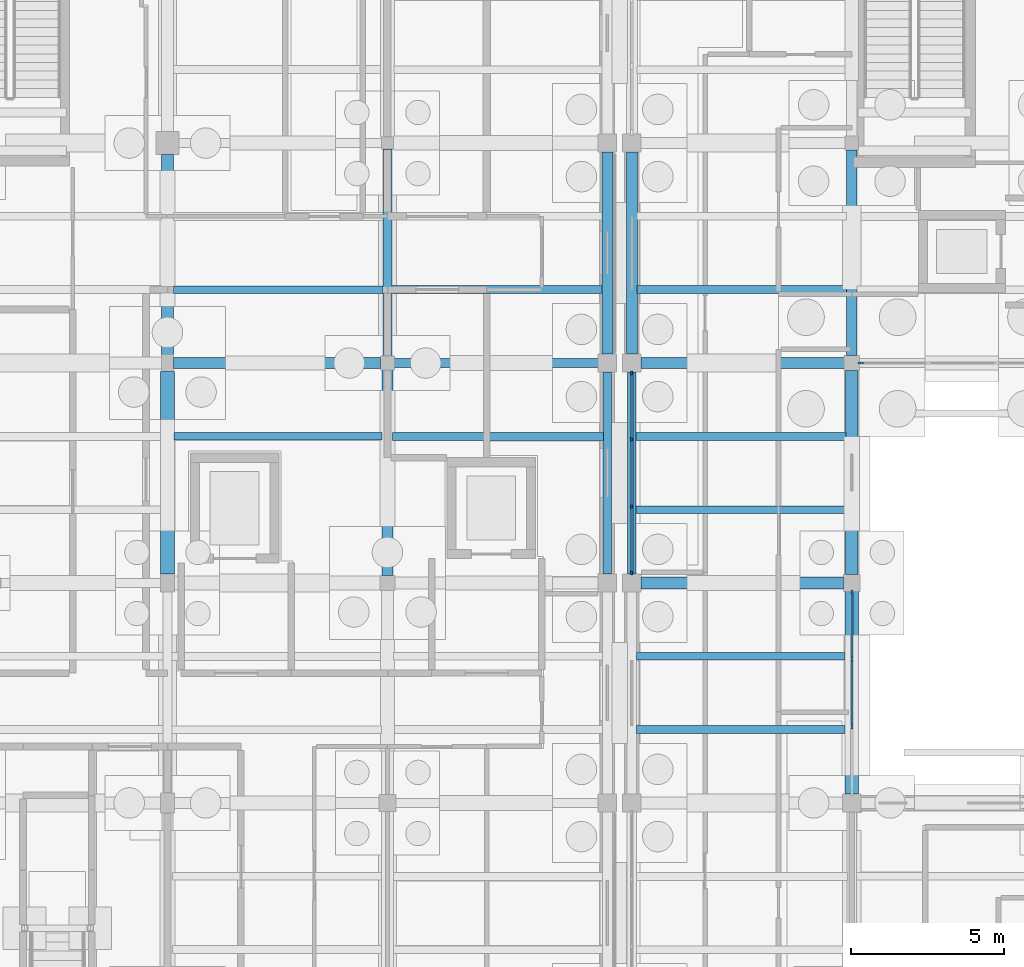
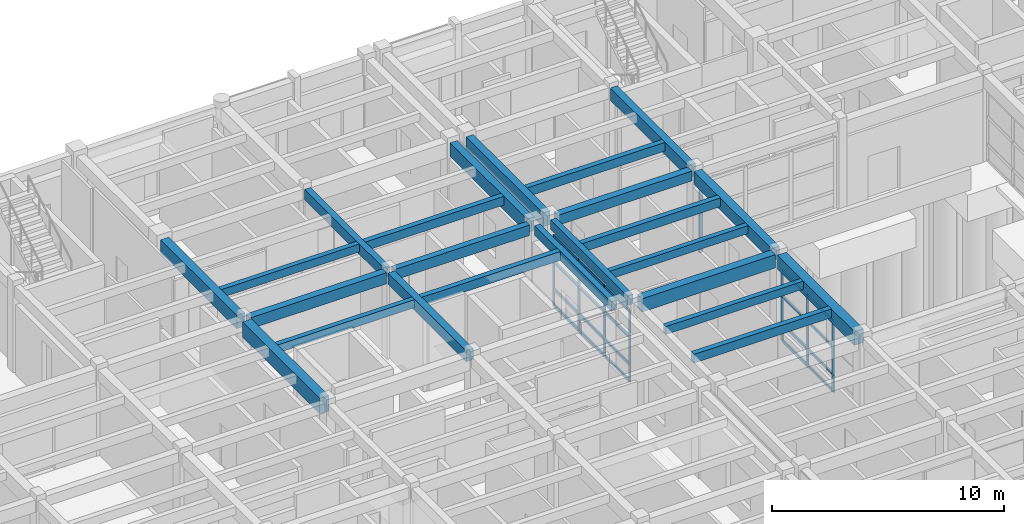
# One storey, part 60 of 143: 28 members, 24 beams, 3 elements without a shape of their own.
"""IFC4 building model written with IfcOpenShell, lengths in metres."""

from ifc_helpers import new_model, si_unit, direction, frame, origin, origin_2d, place, context, subcontext, project, spatial, rectangle, extrude, material, material_profile, profile_set, type_object, element, aggregate, save


model = new_model("IFC4")

# Units and contexts
model_context = context("Model", 3, precision=1e-05, world=origin(), true_north=direction((0.0, 1.0)))
body_context = subcontext(model_context, "Body", "Model", "MODEL_VIEW")
ifc_project = project(units=[si_unit("LENGTHUNIT", "METRE"), si_unit("AREAUNIT", "SQUARE_METRE"), si_unit("VOLUMEUNIT", "CUBIC_METRE"), si_unit("PLANEANGLEUNIT", "RADIAN"), si_unit("MASSUNIT", "GRAM", prefix="KILO")], contexts=[model_context])

# Site, building, storey
site_placement = place(None, origin())
site = spatial("IfcSite", under=ifc_project, at=site_placement, CompositionType="ELEMENT")
building_placement = place(site_placement, origin())
building = spatial("IfcBuilding", under=site, at=building_placement, Name="Steenspoor Specialist Clinic", CompositionType="ELEMENT")
storey_placement = place(building_placement, origin())
storey = spatial("IfcBuildingStorey", under=building, at=storey_placement, Name="L00", CompositionType="ELEMENT", Elevation=0.0)

# Beams
ifc_material_1 = material(Name="Concrete C35/45", Category="concrete")
ifc_material_profile_1 = material_profile(ifc_material_1, rectangle(XDim=0.300048828125, YDim=0.550048828125, at=origin_2d()), Name="RC-BM-300X550")
ifc_profile_set_1 = profile_set([ifc_material_profile_1], Name="Concrete C35/45")
beam_type_1 = type_object("IfcBeamType", Name="BM-RC-300X550", PredefinedType="BEAM", material=ifc_profile_set_1)
beam_1_placement = place(storey_placement, frame((44.6201171875, 93.949951171875, 4.2451171875), z_axis=(1.0, 0.0, 0.0), x_axis=(0.0, 1.0, 0.0)))
element("IfcBeam", 1, at=beam_1_placement, inside=storey, type_object=beam_type_1, Name="BM-V5-L00-X1074", PredefinedType="BEAM", context=body_context, shape_type="SweptSolid", body=[
    extrude(rectangle(XDim=0.300048828125, YDim=0.550048828125, at=origin_2d()), origin(), (0.0, 0.0, 1.0), 6.684814453125),
])
beam_2_placement = place(storey_placement, frame((44.39990234375, 94.169921875, 4.2451171875), z_axis=(0.0, 1.0, 0.0), x_axis=(-1.0, 0.0, 0.0)))
element("IfcBeam", 2, at=beam_2_placement, inside=storey, type_object=beam_type_1, Name="BM-V5-L00-Y1104", PredefinedType="BEAM", context=body_context, shape_type="SweptSolid", body=[
    extrude(rectangle(XDim=0.300048828125, YDim=0.550048828125, at=origin_2d()), origin(), (0.0, 0.0, 1.0), 6.78515625),
])
ifc_material_profile_2 = material_profile(ifc_material_1, rectangle(XDim=0.35009765625, YDim=0.52001953125, at=origin_2d()), Name="RC-BM-350X520")
ifc_profile_set_2 = profile_set([ifc_material_profile_2], Name="Concrete C35/45")
beam_type_2 = type_object("IfcBeamType", Name="BM-RC-350X520", PredefinedType="BEAM", material=ifc_profile_set_2)
beam_3_placement = place(storey_placement, frame((52.695068359375, 93.949951171875, 4.2900390625), z_axis=(1.0, 0.0, 0.0), x_axis=(0.0, 1.0, 0.0)))
element("IfcBeam", 3, at=beam_3_placement, inside=storey, type_object=beam_type_2, Name="BM-V4-L00-X0317", PredefinedType="BEAM", context=body_context, shape_type="SweptSolid", body=[
    extrude(rectangle(XDim=0.35009765625, YDim=0.52001953125, at=origin_2d()), origin(), (0.0, 0.0, 1.0), 6.659912109375),
])
ifc_material_profile_3 = material_profile(ifc_material_1, rectangle(XDim=0.35009765625, YDim=0.580078125, at=origin_2d()), Name="RC-BM-350X580")
ifc_profile_set_3 = profile_set([ifc_material_profile_3], Name="Concrete C35/45")
beam_type_3 = type_object("IfcBeamType", Name="BM-RC-350X580", PredefinedType="BEAM", material=ifc_profile_set_3)
beam_4_placement = place(storey_placement, frame((37.39501953125, 93.949951171875, 4.22998046875), z_axis=(1.0, 0.0, 0.0), x_axis=(0.0, 1.0, 0.0)))
element("IfcBeam", 4, at=beam_4_placement, inside=storey, type_object=beam_type_3, Name="BM-V5-L00-X1073", PredefinedType="BEAM", context=body_context, shape_type="SweptSolid", body=[
    extrude(rectangle(XDim=0.35009765625, YDim=0.580078125, at=origin_2d()), origin(), (0.0, 0.0, 1.0), 6.784912109375),
])
beam_5_placement = place(storey_placement, frame((44.39990234375, 86.9951171875, 4.22998046875), z_axis=(0.0, 1.0, 0.0), x_axis=(-1.0, 0.0, 0.0)))
element("IfcBeam", 5, at=beam_5_placement, inside=storey, type_object=beam_type_3, Name="BM-V5-L00-Y1103", PredefinedType="BEAM", context=body_context, shape_type="SweptSolid", body=[
    extrude(rectangle(XDim=0.35009765625, YDim=0.580078125, at=origin_2d()), origin(), (0.0, 0.0, 1.0), 6.73486328125),
])
ifc_material_profile_4 = material_profile(ifc_material_1, rectangle(XDim=0.35009765625, YDim=0.64990234375, at=origin_2d()), Name="RC-BM-350X650")
ifc_profile_set_4 = profile_set([ifc_material_profile_4], Name="Concrete C35/45")
beam_type_4 = type_object("IfcBeamType", Name="BM-RC-350X650", PredefinedType="BEAM", material=ifc_profile_set_4)
beam_6_placement = place(storey_placement, frame((59.60009765625, 94.195068359375, 4.22509765625), z_axis=(0.0, 1.0, 0.0), x_axis=(-1.0, 0.0, 0.0)))
element("IfcBeam", 6, at=beam_6_placement, inside=storey, type_object=beam_type_4, Name="BM-V4-L00-Y0351", PredefinedType="BEAM", context=body_context, shape_type="SweptSolid", body=[
    extrude(rectangle(XDim=0.35009765625, YDim=0.64990234375, at=origin_2d()), origin(), (0.0, 0.0, 1.0), 6.73486328125),
])
ifc_material_profile_5 = material_profile(ifc_material_1, rectangle(XDim=0.39990234375, YDim=0.64990234375, at=origin_2d()), Name="RC-BM-400X650")
ifc_profile_set_5 = profile_set([ifc_material_profile_5], Name="Concrete C35/45")
beam_type_5 = type_object("IfcBeamType", Name="BM-RC-400X650", PredefinedType="BEAM", material=ifc_profile_set_5)
beam_7_placement = place(storey_placement, frame((59.60009765625, 87.02001953125, 4.22509765625), z_axis=(0.0, 1.0, 0.0), x_axis=(-1.0, 0.0, 0.0)))
element("IfcBeam", 7, at=beam_7_placement, inside=storey, type_object=beam_type_5, Name="BM-V4-L00-Y0350", PredefinedType="BEAM", context=body_context, shape_type="SweptSolid", body=[
    extrude(rectangle(XDim=0.39990234375, YDim=0.64990234375, at=origin_2d()), origin(), (0.0, 0.0, 1.0), 6.68505859375),
])
ifc_material_profile_6 = material_profile(ifc_material_1, rectangle(XDim=0.39990234375, YDim=0.699951171875, at=origin_2d()), Name="RC-BM-400X700")
ifc_profile_set_6 = profile_set([ifc_material_profile_6], Name="Concrete C35/45")
beam_type_6 = type_object("IfcBeamType", Name="BM-RC-400X700", PredefinedType="BEAM", material=ifc_profile_set_6)
beam_8_placement = place(storey_placement, frame((52.695068359375, 86.75, 4.199951171875), z_axis=(1.0, 0.0, 0.0), x_axis=(0.0, 1.0, 0.0)))
element("IfcBeam", 8, at=beam_8_placement, inside=storey, type_object=beam_type_6, Name="BM-V4-L00-X0312", PredefinedType="BEAM", context=body_context, shape_type="SweptSolid", body=[
    extrude(rectangle(XDim=0.39990234375, YDim=0.699951171875, at=origin_2d()), origin(), (0.0, 0.0, 1.0), 6.635009765625),
])
beam_9_placement = place(storey_placement, frame((37.199951171875, 94.219970703125, 4.169921875), z_axis=(0.0, 1.0, 0.0), x_axis=(-1.0, 0.0, 0.0)))
element("IfcBeam", 9, at=beam_9_placement, inside=storey, type_object=beam_type_6, Name="BM-V5-L00-Y1098", PredefinedType="BEAM", context=body_context, shape_type="SweptSolid", body=[
    extrude(rectangle(XDim=0.39990234375, YDim=0.699951171875, at=origin_2d()), origin(), (0.0, 0.0, 1.0), 6.56005859375),
])
ifc_material_profile_7 = material_profile(ifc_material_1, rectangle(XDim=0.449951171875, YDim=0.719970703125, at=origin_2d()), Name="RC-BM-450X720")
ifc_profile_set_7 = profile_set([ifc_material_profile_7], Name="Concrete C35/45")
beam_type_7 = type_object("IfcBeamType", Name="BM-RC-450X720", PredefinedType="BEAM", material=ifc_profile_set_7)
beam_10_placement = place(storey_placement, frame((59.60009765625, 79.844970703125, 4.18994140625), z_axis=(0.0, 1.0, 0.0), x_axis=(-1.0, 0.0, 0.0)))
element("IfcBeam", 10, at=beam_10_placement, inside=storey, type_object=beam_type_7, Name="BM-V4-L00-Y0349", PredefinedType="BEAM", context=body_context, shape_type="SweptSolid", body=[
    extrude(rectangle(XDim=0.449951171875, YDim=0.719970703125, at=origin_2d()), origin(), (0.0, 0.0, 1.0), 6.635009765625),
])
ifc_material_profile_8 = material_profile(ifc_material_1, rectangle(XDim=0.449951171875, YDim=0.800048828125, at=origin_2d()), Name="RC-BM-450X800")
ifc_profile_set_8 = profile_set([ifc_material_profile_8], Name="Concrete C35/45")
beam_type_8 = type_object("IfcBeamType", Name="BM-RC-450X800", PredefinedType="BEAM", material=ifc_profile_set_8)
beam_11_placement = place(storey_placement, frame((37.199951171875, 87.044921875, 4.1201171875), z_axis=(0.0, 1.0, 0.0), x_axis=(-1.0, 0.0, 0.0)))
element("IfcBeam", 11, at=beam_11_placement, inside=storey, type_object=beam_type_8, Name="BM-V5-L00-Y1097", PredefinedType="BEAM", context=body_context, shape_type="SweptSolid", body=[
    extrude(rectangle(XDim=0.449951171875, YDim=0.800048828125, at=origin_2d()), origin(), (0.0, 0.0, 1.0), 6.635009765625),
])

# Curtain wall, members
ifc_material_2 = material(Name="Thermally broken aluminium and low-emissivity glass", Category="aluminium")
curtain_wall_type_1 = type_object("IfcCurtainWallType", Name="CW-WLK-360X340", PredefinedType="USERDEFINED", material=ifc_material_2)
curtain_wall_1_placement = place(storey_placement, origin())
curtain_wall_1 = element("IfcCurtainWall", 12, at=curtain_wall_1_placement, inside=storey, type_object=curtain_wall_type_1, Name="Unitised Curtain Wall CW-V4-L00-046", ObjectType="UNITISED GLAZING", PredefinedType="USERDEFINED")
ifc_material_3 = material(Name="Thermally broken aluminium 6063-T6", Category="aluminium")
ifc_material_profile_9 = material_profile(ifc_material_3, rectangle(XDim=0.06005859375, YDim=0.135009765625, at=origin_2d()), Name="CWM-60X135")
ifc_profile_set_9 = profile_set([ifc_material_profile_9], Name="Thermally broken aluminium 6063-T6")
member_type_1 = type_object("IfcMemberType", Name="CW-MULL-60X135", PredefinedType="MULLION", material=ifc_profile_set_9)
member_1_placement = place(storey_placement, frame((52.39990234375, 87.080078125, 0.0), z_axis=(0.0, 0.0, 1.0), x_axis=(-1.0, 0.0, 0.0)))
member_1 = element("IfcMember", 13, at=member_1_placement, type_object=member_type_1, Name="CW-22 mullion 1", PredefinedType="MULLION", context=body_context, shape_type="SweptSolid", body=[
    extrude(rectangle(XDim=0.06005859375, YDim=0.135009765625, at=origin_2d()), origin(), (0.0, 0.0, 1.0), 3.72998046875),
])
member_2_placement = place(storey_placement, frame((52.39990234375, 89.25, 0.0), z_axis=(0.0, 0.0, 1.0), x_axis=(-1.0, 0.0, 0.0)))
member_2 = element("IfcMember", 14, at=member_2_placement, type_object=member_type_1, Name="CW-22 mullion 2", PredefinedType="MULLION", context=body_context, shape_type="SweptSolid", body=[
    extrude(rectangle(XDim=0.06005859375, YDim=0.135009765625, at=origin_2d()), origin(), (0.0, 0.0, 1.0), 3.72998046875),
])
member_3_placement = place(storey_placement, frame((52.39990234375, 91.449951171875, 0.0), z_axis=(0.0, 0.0, 1.0), x_axis=(-1.0, 0.0, 0.0)))
member_3 = element("IfcMember", 15, at=member_3_placement, type_object=member_type_1, Name="CW-22 mullion 3", PredefinedType="MULLION", context=body_context, shape_type="SweptSolid", body=[
    extrude(rectangle(XDim=0.06005859375, YDim=0.135009765625, at=origin_2d()), origin(), (0.0, 0.0, 1.0), 3.72998046875),
])
member_4_placement = place(storey_placement, frame((52.39990234375, 93.6201171875, 0.0), z_axis=(0.0, 0.0, 1.0), x_axis=(-1.0, 0.0, 0.0)))
member_4 = element("IfcMember", 16, at=member_4_placement, type_object=member_type_1, Name="CW-22 mullion 4", PredefinedType="MULLION", context=body_context, shape_type="SweptSolid", body=[
    extrude(rectangle(XDim=0.06005859375, YDim=0.135009765625, at=origin_2d()), origin(), (0.0, 0.0, 1.0), 3.72998046875),
])

curtain_wall_type_2 = type_object("IfcCurtainWallType", Name="CW-L00-240X415", PredefinedType="USERDEFINED", material=ifc_material_2)
curtain_wall_2_placement = place(storey_placement, origin())
curtain_wall_2 = element("IfcCurtainWall", 17, at=curtain_wall_2_placement, inside=storey, type_object=curtain_wall_type_2, Name="Unitised Curtain Wall CW-V4-L00-056", ObjectType="UNITISED GLAZING", PredefinedType="USERDEFINED")
ifc_material_profile_10 = material_profile(ifc_material_3, rectangle(XDim=0.070068359375, YDim=0.1650390625, at=origin_2d()), Name="CWM-70X165")
ifc_profile_set_10 = profile_set([ifc_material_profile_10], Name="Thermally broken aluminium 6063-T6")
member_type_2 = type_object("IfcMemberType", Name="CW-MULL-70X165", PredefinedType="MULLION", material=ifc_profile_set_10)
member_5_placement = place(storey_placement, frame((59.60009765625, 86.43994140625, 0.0), z_axis=(0.0, 0.0, 1.0), x_axis=(1.0, 0.0, 0.0)))
member_5 = element("IfcMember", 18, at=member_5_placement, type_object=member_type_2, Name="CW-08 mullion 1", PredefinedType="MULLION", context=body_context, shape_type="SweptSolid", body=[
    extrude(rectangle(XDim=0.070068359375, YDim=0.1650390625, at=origin_2d()), origin(), (0.0, 0.0, 1.0), 3.72998046875),
])
member_6_placement = place(storey_placement, frame((59.60009765625, 84.2666015625, 0.0), z_axis=(0.0, 0.0, 1.0), x_axis=(1.0, 0.0, 0.0)))
member_6 = element("IfcMember", 19, at=member_6_placement, type_object=member_type_2, Name="CW-08 mullion 2", PredefinedType="MULLION", context=body_context, shape_type="SweptSolid", body=[
    extrude(rectangle(XDim=0.070068359375, YDim=0.1650390625, at=origin_2d()), origin(), (0.0, 0.0, 1.0), 3.72998046875),
])
member_7_placement = place(storey_placement, frame((59.60009765625, 82.058349609375, 0.0), z_axis=(0.0, 0.0, 1.0), x_axis=(1.0, 0.0, 0.0)))
member_7 = element("IfcMember", 20, at=member_7_placement, type_object=member_type_2, Name="CW-08 mullion 3", PredefinedType="MULLION", context=body_context, shape_type="SweptSolid", body=[
    extrude(rectangle(XDim=0.070068359375, YDim=0.1650390625, at=origin_2d()), origin(), (0.0, 0.0, 1.0), 3.72998046875),
])

# Curtain wall, member
curtain_wall_type_3 = type_object("IfcCurtainWallType", Name="CW-L00-360X415", PredefinedType="USERDEFINED", material=ifc_material_2)
curtain_wall_3_placement = place(storey_placement, origin())
curtain_wall_3 = element("IfcCurtainWall", 21, at=curtain_wall_3_placement, inside=storey, type_object=curtain_wall_type_3, Name="Unitised Curtain Wall CW-V4-L00-055", ObjectType="UNITISED GLAZING", PredefinedType="USERDEFINED")
ifc_material_profile_11 = material_profile(ifc_material_3, rectangle(XDim=0.080078125, YDim=0.179931640625, at=origin_2d()), Name="CWM-80X180")
ifc_profile_set_11 = profile_set([ifc_material_profile_11], Name="Thermally broken aluminium 6063-T6")
member_type_3 = type_object("IfcMemberType", Name="CW-MULL-80X180", PredefinedType="MULLION", material=ifc_profile_set_11)
member_8_placement = place(storey_placement, frame((59.889892578125, 93.949951171875, 0.0), z_axis=(0.0, 0.0, 1.0), x_axis=(0.0, -1.0, 0.0)))
member_8 = element("IfcMember", 22, at=member_8_placement, type_object=member_type_3, Name="CW-07 mullion 4", PredefinedType="MULLION", context=body_context, shape_type="SweptSolid", body=[
    extrude(rectangle(XDim=0.080078125, YDim=0.179931640625, at=origin_2d()), origin(), (0.0, 0.0, 1.0), 3.72998046875),
])
aggregate(curtain_wall_3, [member_8])

# Member
ifc_material_profile_12 = material_profile(ifc_material_3, rectangle(XDim=0.070068359375, YDim=0.14501953125, at=origin_2d()), Name="CWT-70X145")
ifc_profile_set_12 = profile_set([ifc_material_profile_12], Name="Thermally broken aluminium 6063-T6")
member_type_4 = type_object("IfcMemberType", Name="CW-TRAN-70X145", PredefinedType="USERDEFINED", material=ifc_profile_set_12)
member_9_placement = place(storey_placement, frame((52.39990234375, 87.110107421875, 0.034912109375), z_axis=(0.0, 1.0, 0.0), x_axis=(-1.0, 0.0, 0.0)))
member_9 = element("IfcMember", 23, at=member_9_placement, type_object=member_type_4, Name="CW-22 transom 1.1", ObjectType="TRANSOM", PredefinedType="USERDEFINED", context=body_context, shape_type="SweptSolid", body=[
    extrude(rectangle(XDim=0.070068359375, YDim=0.14501953125, at=origin_2d()), origin(), (0.0, 0.0, 1.0), 2.10986328125),
])

member_10_placement = place(storey_placement, frame((52.39990234375, 87.110107421875, 0.89990234375), z_axis=(0.0, 1.0, 0.0), x_axis=(-1.0, 0.0, 0.0)))
member_10 = element("IfcMember", 24, at=member_10_placement, type_object=member_type_4, Name="CW-22 transom 1.2", ObjectType="TRANSOM", PredefinedType="USERDEFINED", context=body_context, shape_type="SweptSolid", body=[
    extrude(rectangle(XDim=0.070068359375, YDim=0.14501953125, at=origin_2d()), origin(), (0.0, 0.0, 1.0), 2.10986328125),
])

member_11_placement = place(storey_placement, frame((52.39990234375, 87.110107421875, 2.35009765625), z_axis=(0.0, 1.0, 0.0), x_axis=(-1.0, 0.0, 0.0)))
member_11 = element("IfcMember", 25, at=member_11_placement, type_object=member_type_4, Name="CW-22 transom 1.3", ObjectType="TRANSOM", PredefinedType="USERDEFINED", context=body_context, shape_type="SweptSolid", body=[
    extrude(rectangle(XDim=0.070068359375, YDim=0.14501953125, at=origin_2d()), origin(), (0.0, 0.0, 1.0), 2.10986328125),
])

member_12_placement = place(storey_placement, frame((52.39990234375, 87.110107421875, 3.695068359375), z_axis=(0.0, 1.0, 0.0), x_axis=(-1.0, 0.0, 0.0)))
member_12 = element("IfcMember", 26, at=member_12_placement, type_object=member_type_4, Name="CW-22 transom 1.4", ObjectType="TRANSOM", PredefinedType="USERDEFINED", context=body_context, shape_type="SweptSolid", body=[
    extrude(rectangle(XDim=0.070068359375, YDim=0.14501953125, at=origin_2d()), origin(), (0.0, 0.0, 1.0), 2.10986328125),
])

member_13_placement = place(storey_placement, frame((52.39990234375, 89.280029296875, 0.034912109375), z_axis=(0.0, 1.0, 0.0), x_axis=(-1.0, 0.0, 0.0)))
member_13 = element("IfcMember", 27, at=member_13_placement, type_object=member_type_4, Name="CW-22 transom 2.1", ObjectType="TRANSOM", PredefinedType="USERDEFINED", context=body_context, shape_type="SweptSolid", body=[
    extrude(rectangle(XDim=0.070068359375, YDim=0.14501953125, at=origin_2d()), origin(), (0.0, 0.0, 1.0), 2.139892578125),
])

member_14_placement = place(storey_placement, frame((52.39990234375, 89.280029296875, 0.89990234375), z_axis=(0.0, 1.0, 0.0), x_axis=(-1.0, 0.0, 0.0)))
member_14 = element("IfcMember", 28, at=member_14_placement, type_object=member_type_4, Name="CW-22 transom 2.2", ObjectType="TRANSOM", PredefinedType="USERDEFINED", context=body_context, shape_type="SweptSolid", body=[
    extrude(rectangle(XDim=0.070068359375, YDim=0.14501953125, at=origin_2d()), origin(), (0.0, 0.0, 1.0), 2.139892578125),
])

member_15_placement = place(storey_placement, frame((52.39990234375, 89.280029296875, 2.35009765625), z_axis=(0.0, 1.0, 0.0), x_axis=(-1.0, 0.0, 0.0)))
member_15 = element("IfcMember", 29, at=member_15_placement, type_object=member_type_4, Name="CW-22 transom 2.3", ObjectType="TRANSOM", PredefinedType="USERDEFINED", context=body_context, shape_type="SweptSolid", body=[
    extrude(rectangle(XDim=0.070068359375, YDim=0.14501953125, at=origin_2d()), origin(), (0.0, 0.0, 1.0), 2.139892578125),
])

member_16_placement = place(storey_placement, frame((52.39990234375, 89.280029296875, 3.695068359375), z_axis=(0.0, 1.0, 0.0), x_axis=(-1.0, 0.0, 0.0)))
member_16 = element("IfcMember", 30, at=member_16_placement, type_object=member_type_4, Name="CW-22 transom 2.4", ObjectType="TRANSOM", PredefinedType="USERDEFINED", context=body_context, shape_type="SweptSolid", body=[
    extrude(rectangle(XDim=0.070068359375, YDim=0.14501953125, at=origin_2d()), origin(), (0.0, 0.0, 1.0), 2.139892578125),
])

member_17_placement = place(storey_placement, frame((52.39990234375, 91.47998046875, 0.034912109375), z_axis=(0.0, 1.0, 0.0), x_axis=(-1.0, 0.0, 0.0)))
member_17 = element("IfcMember", 31, at=member_17_placement, type_object=member_type_4, Name="CW-22 transom 3.1", ObjectType="TRANSOM", PredefinedType="USERDEFINED", context=body_context, shape_type="SweptSolid", body=[
    extrude(rectangle(XDim=0.070068359375, YDim=0.14501953125, at=origin_2d()), origin(), (0.0, 0.0, 1.0), 2.110107421875),
])

member_18_placement = place(storey_placement, frame((52.39990234375, 91.47998046875, 0.89990234375), z_axis=(0.0, 1.0, 0.0), x_axis=(-1.0, 0.0, 0.0)))
member_18 = element("IfcMember", 32, at=member_18_placement, type_object=member_type_4, Name="CW-22 transom 3.2", ObjectType="TRANSOM", PredefinedType="USERDEFINED", context=body_context, shape_type="SweptSolid", body=[
    extrude(rectangle(XDim=0.070068359375, YDim=0.14501953125, at=origin_2d()), origin(), (0.0, 0.0, 1.0), 2.110107421875),
])

member_19_placement = place(storey_placement, frame((52.39990234375, 91.47998046875, 2.35009765625), z_axis=(0.0, 1.0, 0.0), x_axis=(-1.0, 0.0, 0.0)))
member_19 = element("IfcMember", 33, at=member_19_placement, type_object=member_type_4, Name="CW-22 transom 3.3", ObjectType="TRANSOM", PredefinedType="USERDEFINED", context=body_context, shape_type="SweptSolid", body=[
    extrude(rectangle(XDim=0.070068359375, YDim=0.14501953125, at=origin_2d()), origin(), (0.0, 0.0, 1.0), 2.110107421875),
])

member_20_placement = place(storey_placement, frame((52.39990234375, 91.47998046875, 3.695068359375), z_axis=(0.0, 1.0, 0.0), x_axis=(-1.0, 0.0, 0.0)))
member_20 = element("IfcMember", 34, at=member_20_placement, type_object=member_type_4, Name="CW-22 transom 3.4", ObjectType="TRANSOM", PredefinedType="USERDEFINED", context=body_context, shape_type="SweptSolid", body=[
    extrude(rectangle(XDim=0.070068359375, YDim=0.14501953125, at=origin_2d()), origin(), (0.0, 0.0, 1.0), 2.110107421875),
])

aggregate(curtain_wall_1, [member_1, member_2, member_3, member_4, member_9, member_10, member_11, member_12, member_13, member_14, member_15, member_16, member_17, member_18, member_19, member_20])

member_21_placement = place(storey_placement, frame((59.60009765625, 86.405029296875, 0.034912109375), z_axis=(0.0, -1.0, 0.0), x_axis=(1.0, 0.0, 0.0)))
member_21 = element("IfcMember", 35, at=member_21_placement, type_object=member_type_4, Name="CW-08 transom 1.1", ObjectType="TRANSOM", PredefinedType="USERDEFINED", context=body_context, shape_type="SweptSolid", body=[
    extrude(rectangle(XDim=0.070068359375, YDim=0.14501953125, at=origin_2d()), origin(), (0.0, 0.0, 1.0), 2.103271484375),
])

member_22_placement = place(storey_placement, frame((59.60009765625, 86.405029296875, 0.89990234375), z_axis=(0.0, -1.0, 0.0), x_axis=(1.0, 0.0, 0.0)))
member_22 = element("IfcMember", 36, at=member_22_placement, type_object=member_type_4, Name="CW-08 transom 1.2", ObjectType="TRANSOM", PredefinedType="USERDEFINED", context=body_context, shape_type="SweptSolid", body=[
    extrude(rectangle(XDim=0.070068359375, YDim=0.14501953125, at=origin_2d()), origin(), (0.0, 0.0, 1.0), 2.103271484375),
])

member_23_placement = place(storey_placement, frame((59.60009765625, 86.405029296875, 2.35009765625), z_axis=(0.0, -1.0, 0.0), x_axis=(1.0, 0.0, 0.0)))
member_23 = element("IfcMember", 37, at=member_23_placement, type_object=member_type_4, Name="CW-08 transom 1.3", ObjectType="TRANSOM", PredefinedType="USERDEFINED", context=body_context, shape_type="SweptSolid", body=[
    extrude(rectangle(XDim=0.070068359375, YDim=0.14501953125, at=origin_2d()), origin(), (0.0, 0.0, 1.0), 2.103271484375),
])

member_24_placement = place(storey_placement, frame((59.60009765625, 86.405029296875, 3.695068359375), z_axis=(0.0, -1.0, 0.0), x_axis=(1.0, 0.0, 0.0)))
member_24 = element("IfcMember", 38, at=member_24_placement, type_object=member_type_4, Name="CW-08 transom 1.4", ObjectType="TRANSOM", PredefinedType="USERDEFINED", context=body_context, shape_type="SweptSolid", body=[
    extrude(rectangle(XDim=0.070068359375, YDim=0.14501953125, at=origin_2d()), origin(), (0.0, 0.0, 1.0), 2.103271484375),
])

member_25_placement = place(storey_placement, frame((59.60009765625, 84.231689453125, 0.034912109375), z_axis=(0.0, -1.0, 0.0), x_axis=(1.0, 0.0, 0.0)))
member_25 = element("IfcMember", 39, at=member_25_placement, type_object=member_type_4, Name="CW-08 transom 2.1", ObjectType="TRANSOM", PredefinedType="USERDEFINED", context=body_context, shape_type="SweptSolid", body=[
    extrude(rectangle(XDim=0.070068359375, YDim=0.14501953125, at=origin_2d()), origin(), (0.0, 0.0, 1.0), 2.138427734375),
])

member_26_placement = place(storey_placement, frame((59.60009765625, 84.231689453125, 0.89990234375), z_axis=(0.0, -1.0, 0.0), x_axis=(1.0, 0.0, 0.0)))
member_26 = element("IfcMember", 40, at=member_26_placement, type_object=member_type_4, Name="CW-08 transom 2.2", ObjectType="TRANSOM", PredefinedType="USERDEFINED", context=body_context, shape_type="SweptSolid", body=[
    extrude(rectangle(XDim=0.070068359375, YDim=0.14501953125, at=origin_2d()), origin(), (0.0, 0.0, 1.0), 2.138427734375),
])

member_27_placement = place(storey_placement, frame((59.60009765625, 84.231689453125, 2.35009765625), z_axis=(0.0, -1.0, 0.0), x_axis=(1.0, 0.0, 0.0)))
member_27 = element("IfcMember", 41, at=member_27_placement, type_object=member_type_4, Name="CW-08 transom 2.3", ObjectType="TRANSOM", PredefinedType="USERDEFINED", context=body_context, shape_type="SweptSolid", body=[
    extrude(rectangle(XDim=0.070068359375, YDim=0.14501953125, at=origin_2d()), origin(), (0.0, 0.0, 1.0), 2.138427734375),
])

member_28_placement = place(storey_placement, frame((59.60009765625, 84.231689453125, 3.695068359375), z_axis=(0.0, -1.0, 0.0), x_axis=(1.0, 0.0, 0.0)))
member_28 = element("IfcMember", 42, at=member_28_placement, type_object=member_type_4, Name="CW-08 transom 2.4", ObjectType="TRANSOM", PredefinedType="USERDEFINED", context=body_context, shape_type="SweptSolid", body=[
    extrude(rectangle(XDim=0.070068359375, YDim=0.14501953125, at=origin_2d()), origin(), (0.0, 0.0, 1.0), 2.138427734375),
])

aggregate(curtain_wall_2, [member_5, member_6, member_7, member_21, member_22, member_23, member_24, member_25, member_26, member_27, member_28])

# Beams
ifc_material_profile_13 = material_profile(ifc_material_1, rectangle(XDim=0.239990234375, YDim=0.419921875, at=origin_2d()), Name="RC-JT-240X420")
ifc_profile_set_13 = profile_set([ifc_material_profile_13], Name="Concrete C35/45")
beam_type_9 = type_object("IfcBeamType", Name="JT-RC-240X420", PredefinedType="JOIST", material=ifc_profile_set_13)
beam_12_placement = place(storey_placement, frame((52.554931640625, 84.35009765625, 4.340087890625), z_axis=(1.0, 0.0, 0.0), x_axis=(0.0, 1.0, 0.0)))
element("IfcBeam", 43, at=beam_12_placement, inside=storey, type_object=beam_type_9, Name="JT-V4-L00-0402", PredefinedType="JOIST", context=body_context, shape_type="SweptSolid", body=[
    extrude(rectangle(XDim=0.239990234375, YDim=0.419921875, at=origin_2d()), origin(), (0.0, 0.0, 1.0), 6.824951171875),
])
beam_13_placement = place(storey_placement, frame((52.534912109375, 89.14990234375, 4.340087890625), z_axis=(1.0, 0.0, 0.0), x_axis=(0.0, 1.0, 0.0)))
element("IfcBeam", 44, at=beam_13_placement, inside=storey, type_object=beam_type_9, Name="JT-V4-L00-0403", PredefinedType="JOIST", context=body_context, shape_type="SweptSolid", body=[
    extrude(rectangle(XDim=0.239990234375, YDim=0.419921875, at=origin_2d()), origin(), (0.0, 0.0, 1.0), 6.8701171875),
])
beam_14_placement = place(storey_placement, frame((37.419921875, 91.550048828125, 4.31005859375), z_axis=(1.0, 0.0, 0.0), x_axis=(0.0, 1.0, 0.0)))
element("IfcBeam", 45, at=beam_14_placement, inside=storey, type_object=beam_type_9, Name="JT-V5-L00-1138", PredefinedType="JOIST", context=body_context, shape_type="SweptSolid", body=[
    extrude(rectangle(XDim=0.239990234375, YDim=0.419921875, at=origin_2d()), origin(), (0.0, 0.0, 1.0), 6.81005859375),
])
beam_15_placement = place(storey_placement, frame((37.39501953125, 96.35009765625, 4.31005859375), z_axis=(1.0, 0.0, 0.0), x_axis=(0.0, 1.0, 0.0)))
element("IfcBeam", 46, at=beam_15_placement, inside=storey, type_object=beam_type_9, Name="JT-V5-L00-1139", PredefinedType="JOIST", context=body_context, shape_type="SweptSolid", body=[
    extrude(rectangle(XDim=0.239990234375, YDim=0.419921875, at=origin_2d()), origin(), (0.0, 0.0, 1.0), 6.85986328125),
])
ifc_material_profile_14 = material_profile(ifc_material_1, rectangle(XDim=0.260009765625, YDim=0.4599609375, at=origin_2d()), Name="RC-JT-260X460")
ifc_profile_set_14 = profile_set([ifc_material_profile_14], Name="Concrete C35/45")
beam_type_10 = type_object("IfcBeamType", Name="JT-RC-260X460", PredefinedType="JOIST", material=ifc_profile_set_14)
beam_16_placement = place(storey_placement, frame((52.554931640625, 81.949951171875, 4.320068359375), z_axis=(1.0, 0.0, 0.0), x_axis=(0.0, 1.0, 0.0)))
element("IfcBeam", 47, at=beam_16_placement, inside=storey, type_object=beam_type_10, Name="JT-V4-L00-0401", PredefinedType="JOIST", context=body_context, shape_type="SweptSolid", body=[
    extrude(rectangle(XDim=0.260009765625, YDim=0.4599609375, at=origin_2d()), origin(), (0.0, 0.0, 1.0), 6.824951171875),
])
beam_17_placement = place(storey_placement, frame((52.534912109375, 91.550048828125, 4.320068359375), z_axis=(1.0, 0.0, 0.0), x_axis=(0.0, 1.0, 0.0)))
element("IfcBeam", 48, at=beam_17_placement, inside=storey, type_object=beam_type_10, Name="JT-V4-L00-0404", PredefinedType="JOIST", context=body_context, shape_type="SweptSolid", body=[
    extrude(rectangle(XDim=0.260009765625, YDim=0.4599609375, at=origin_2d()), origin(), (0.0, 0.0, 1.0), 6.8701171875),
])
beam_18_placement = place(storey_placement, frame((52.574951171875, 96.35009765625, 4.320068359375), z_axis=(1.0, 0.0, 0.0), x_axis=(0.0, 1.0, 0.0)))
element("IfcBeam", 49, at=beam_18_placement, inside=storey, type_object=beam_type_10, Name="JT-V4-L00-0405", PredefinedType="JOIST", context=body_context, shape_type="SweptSolid", body=[
    extrude(rectangle(XDim=0.260009765625, YDim=0.4599609375, at=origin_2d()), origin(), (0.0, 0.0, 1.0), 6.85498046875),
])
beam_19_placement = place(storey_placement, frame((44.570068359375, 91.550048828125, 4.2900390625), z_axis=(1.0, 0.0, 0.0), x_axis=(0.0, 1.0, 0.0)))
element("IfcBeam", 50, at=beam_19_placement, inside=storey, type_object=beam_type_10, Name="JT-V5-L00-1149", PredefinedType="JOIST", context=body_context, shape_type="SweptSolid", body=[
    extrude(rectangle(XDim=0.260009765625, YDim=0.4599609375, at=origin_2d()), origin(), (0.0, 0.0, 1.0), 6.89501953125),
])
beam_20_placement = place(storey_placement, frame((44.544921875, 96.35009765625, 4.2900390625), z_axis=(1.0, 0.0, 0.0), x_axis=(0.0, 1.0, 0.0)))
element("IfcBeam", 51, at=beam_20_placement, inside=storey, type_object=beam_type_10, Name="JT-V5-L00-1150", PredefinedType="JOIST", context=body_context, shape_type="SweptSolid", body=[
    extrude(rectangle(XDim=0.260009765625, YDim=0.4599609375, at=origin_2d()), origin(), (0.0, 0.0, 1.0), 6.880126953125),
])
ifc_material_profile_15 = material_profile(ifc_material_1, rectangle(XDim=0.280029296875, YDim=0.5, at=origin_2d()), Name="RC-SP-280X500")
ifc_profile_set_15 = profile_set([ifc_material_profile_15], Name="Concrete C35/45")
beam_type_11 = type_object("IfcBeamType", Name="SP-RC-280X500", PredefinedType="SPANDREL", material=ifc_profile_set_15)
for number, where, z_axis, x_axis, name in (
    (52, (52.39990234375, 87.044921875, 4.300048828125), (0.0, 1.0, 0.0), (-1.0, 0.0, 0.0), "BM-V4-L00-Y0344"),
    (53, (51.60009765625, 87.044921875, 4.27001953125), (0.0, 1.0, 0.0), (-1.0, 0.0, 0.0), "BM-V5-L00-Y1109"),
):
    element("IfcBeam", number, at=place(storey_placement, frame(where, z_axis=z_axis, x_axis=x_axis)), inside=storey, type_object=beam_type_11, Name=name, PredefinedType="SPANDREL", context=body_context, shape_type="SweptSolid", body=[
        extrude(rectangle(XDim=0.280029296875, YDim=0.5, at=origin_2d()), origin(), (0.0, 0.0, 1.0), 6.610107421875),
    ])
ifc_material_profile_16 = material_profile(ifc_material_1, rectangle(XDim=0.360107421875, YDim=0.719970703125, at=origin_2d()), Name="RC-SP-360X720")
ifc_profile_set_16 = profile_set([ifc_material_profile_16], Name="Concrete C35/45")
beam_type_12 = type_object("IfcBeamType", Name="SP-RC-360X720", PredefinedType="SPANDREL", material=ifc_profile_set_16)
for number, where, z_axis, x_axis, name in (
    (54, (52.39990234375, 94.2451171875, 4.18994140625), (0.0, 1.0, 0.0), (-1.0, 0.0, 0.0), "BM-V4-L00-Y0345"),
    (55, (51.60009765625, 94.2451171875, 4.159912109375), (0.0, 1.0, 0.0), (-1.0, 0.0, 0.0), "BM-V5-L00-Y1110"),
):
    element("IfcBeam", number, at=place(storey_placement, frame(where, z_axis=z_axis, x_axis=x_axis)), inside=storey, type_object=beam_type_12, Name=name, PredefinedType="SPANDREL", context=body_context, shape_type="SweptSolid", body=[
        extrude(rectangle(XDim=0.360107421875, YDim=0.719970703125, at=origin_2d()), origin(), (0.0, 0.0, 1.0), 6.60986328125),
    ])

save(model, "model.ifc")
